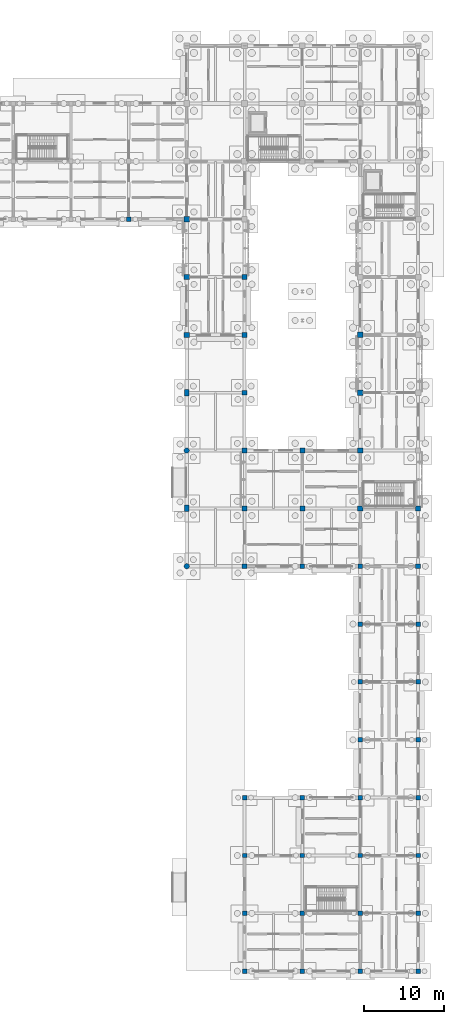
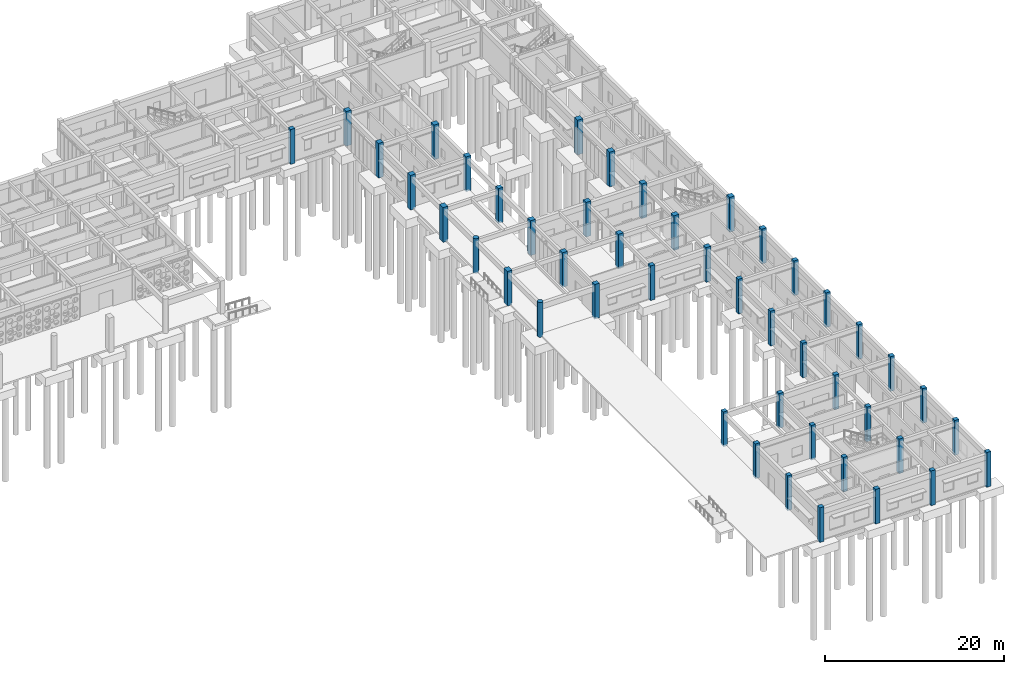
# One storey, part 10 of 111: 46 columns.
"""IFC4 building model written with IfcOpenShell, lengths in metres."""

import ifcopenshell
import ifcopenshell.guid

model = None  # the IFC model being written
_history = None  # IfcOwnerHistory: only IFC2X3 demands one
_inside = {}  # id of a spatial element -> (the spatial element, [elements in it])
_under = {}  # id of a project, library or spatial element -> (it, [spatial elements below it])
_declared = {}  # id of a project -> (the project, [libraries it declares])
_typed = {}  # id of a type object -> (the type object, [elements of that type])
_made_of = {}  # id of a material, layer set ... -> (it, [elements and type objects made of it])


def new_model(schema):
    """Start an empty IFC model of exactly this schema.

    Asked for "IFC4X3", IfcOpenShell would pick the latest addendum, in which some entities
    have other attributes; the version numbers below select the first issue.
    IFC2X3 requires an IfcOwnerHistory on every rooted entity: one is made here for all.
    """
    global model, _history
    if schema == "IFC4X3":
        model = ifcopenshell.file(schema_version=(4, 3, 0, 0))
    else:
        model = ifcopenshell.file(schema=schema)
    _inside.clear()
    _under.clear()
    _declared.clear()
    _typed.clear()
    _made_of.clear()
    _history = None
    if model.schema == "IFC2X3":
        org = make("IfcOrganization", Name="unknown")
        user = make(
            "IfcPersonAndOrganization",
            ThePerson=make("IfcPerson", FamilyName="unknown"),
            TheOrganization=org,
        )
        app = make(
            "IfcApplication",
            ApplicationDeveloper=org,
            Version="unknown",
            ApplicationFullName="unknown",
            ApplicationIdentifier="unknown",
        )
        _history = make(
            "IfcOwnerHistory",
            OwningUser=user,
            OwningApplication=app,
            ChangeAction="ADDED",
            CreationDate=0,
        )
    return model


def make(cls, **values):
    """One entity of the class cls with the attributes given. An attribute that is None is left unset."""
    return model.create_entity(
        cls, **{name: value for name, value in values.items() if value is not None}
    )


def rooted(cls, **values):
    """An entity with a GlobalId (a new one), such as an element, a storey or a relation."""
    return make(cls, GlobalId=ifcopenshell.guid.new(), OwnerHistory=_history, **values)


def si_unit(unit_type, name, prefix=None):
    """IfcSIUnit, for example si_unit("LENGTHUNIT", "METRE", prefix="MILLI")."""
    return make("IfcSIUnit", UnitType=unit_type, Prefix=prefix, Name=name)


def assignment(units):
    """IfcUnitAssignment: the units of a project."""
    return None if units is None else make("IfcUnitAssignment", Units=units)


def point(xyz):
    """IfcCartesianPoint."""
    return None if xyz is None else make("IfcCartesianPoint", Coordinates=xyz)


def direction(xyz):
    """IfcDirection."""
    return None if xyz is None else make("IfcDirection", DirectionRatios=xyz)


def frame(location, z_axis=None, x_axis=None):
    """IfcAxis2Placement3D, a coordinate frame: its origin and axes. An axis left out is left unset."""
    return make(
        "IfcAxis2Placement3D",
        Location=point(location),
        Axis=direction(z_axis),
        RefDirection=direction(x_axis),
    )


def frame_2d(location, x_axis=None):
    """IfcAxis2Placement2D, a coordinate frame in the plane: its origin and x axis."""
    return make(
        "IfcAxis2Placement2D", Location=point(location), RefDirection=direction(x_axis)
    )


def origin():
    """The frame at (0, 0, 0) with its axes left unset."""
    return frame((0.0, 0.0, 0.0))


def origin_2d():
    """The frame at (0, 0) in the plane with its x axis left unset."""
    return frame_2d((0.0, 0.0))


def place(relative_to, where):
    """IfcLocalPlacement: puts the frame where relative to a parent placement (None: the world)."""
    return make(
        "IfcLocalPlacement", PlacementRelTo=relative_to, RelativePlacement=where
    )


def context(
    kind, dimensions, precision=None, world=None, true_north=None, identifier=None
):
    """IfcGeometricRepresentationContext, for example the 3D "Model" context."""
    return make(
        "IfcGeometricRepresentationContext",
        ContextIdentifier=identifier,
        ContextType=kind,
        CoordinateSpaceDimension=dimensions,
        Precision=precision,
        WorldCoordinateSystem=world,
        TrueNorth=true_north,
    )


def subcontext(parent, identifier, kind, view, scale=None):
    """IfcGeometricRepresentationSubContext, for example "Body" below "Model"."""
    return make(
        "IfcGeometricRepresentationSubContext",
        ContextIdentifier=identifier,
        ContextType=kind,
        ParentContext=parent,
        TargetScale=scale,
        TargetView=view,
    )


def project(units=None, contexts=None):
    """IfcProject with its units and contexts."""
    return rooted(
        "IfcProject",
        Name="project",
        RepresentationContexts=contexts,
        UnitsInContext=assignment(units),
    )


def spatial(cls, under=None, at=None, **own):
    """A site, building, storey or space (cls), placed at a placement, below another one or the project."""
    s = rooted(cls, ObjectPlacement=at, **own)
    if under is not None:
        _under.setdefault(under.id(), (under, []))[1].append(s)
    return s


def profile(cls, at=None, kind="AREA", **sizes):
    """A parametric profile (cls). Its sizes go by their IFC names, for example OverallWidth=200.0."""
    return make(cls, ProfileType=kind, Position=at, **sizes)


def rectangle(**sizes):
    """IfcRectangleProfileDef."""
    return profile("IfcRectangleProfileDef", **sizes)


def circle(**sizes):
    """IfcCircleProfileDef."""
    return profile("IfcCircleProfileDef", **sizes)


def extrude(swept, where, along, depth):
    """IfcExtrudedAreaSolid: the profile swept, set in the frame where, extruded along a direction by depth."""
    return make(
        "IfcExtrudedAreaSolid",
        SweptArea=swept,
        Position=where,
        ExtrudedDirection=direction(along),
        Depth=depth,
    )


def shape(context_of_items, identifier, shape_type, items):
    """IfcShapeRepresentation: the items that make up one representation, for example the "Body"."""
    return make(
        "IfcShapeRepresentation",
        ContextOfItems=context_of_items,
        RepresentationIdentifier=identifier,
        RepresentationType=shape_type,
        Items=items,
    )


def material(Name=None, Category=None):
    """IfcMaterial."""
    return make("IfcMaterial", Name=Name, Category=Category)


def material_profile(
    of_material, cross_section, Name=None, Category=None, Priority=None
):
    """IfcMaterialProfile: a cross section and its material."""
    return make(
        "IfcMaterialProfile",
        Name=Name,
        Material=of_material,
        Profile=cross_section,
        Priority=Priority,
        Category=Category,
    )


def profile_set(profiles, Name=None, composite=None):
    """IfcMaterialProfileSet."""
    return make(
        "IfcMaterialProfileSet",
        Name=Name,
        MaterialProfiles=profiles,
        CompositeProfile=composite,
    )


def made_of(thing, what):
    """Note that an element or type object is made of a material, layer set ...; save() writes the relation."""
    if what is not None:
        _made_of.setdefault(what.id(), (what, []))[1].append(thing)
    return thing


def type_object(cls, material=None, **own):
    """A type object (cls), such as IfcWallType, which elements share."""
    return made_of(rooted(cls, **own), material)


def element(
    cls,
    number,
    at=None,
    inside=None,
    cuts=None,
    type_object=None,
    material=None,
    context=None,
    identifier="Body",
    shape_type=None,
    held_by="IfcProductDefinitionShape",
    body=None,
    shapes=None,
    **own,
):
    """One element of the class cls, such as IfcWall. Its Tag is "e" and its number.

    at: its placement. inside: the storey or other place that contains it. cuts: it is an
    opening in that element (IfcRelVoidsElement). A single representation is given by context,
    identifier, shape_type and body (its items); several are given by shapes. held_by: the class
    of the entity that holds the representations. save() writes the other relations.
    """
    e = rooted(cls, Tag="e%d" % number, ObjectPlacement=at, **own)
    if body is not None:
        shapes = [shape(context, identifier, shape_type, body)]
    if shapes is not None:
        e.Representation = make(held_by, Representations=shapes)
    if inside is not None:
        _inside.setdefault(inside.id(), (inside, []))[1].append(e)
    if cuts is not None:
        rooted(
            "IfcRelVoidsElement", RelatingBuildingElement=cuts, RelatedOpeningElement=e
        )
    if type_object is not None:
        _typed.setdefault(type_object.id(), (type_object, []))[1].append(e)
    return made_of(e, material)


def aggregate(whole, parts):
    """IfcRelAggregates: a whole, such as a stair, and the parts it consists of."""
    return rooted("IfcRelAggregates", RelatingObject=whole, RelatedObjects=parts)


def save(model, path):
    """Write the relations noted so far, then the file.

    IfcRelAggregates (storeys below a building ...), IfcRelContainedInSpatialStructure (elements
    in a storey), IfcRelDefinesByType, IfcRelAssociatesMaterial and IfcRelDeclares: one each for
    every whole, place, type object, material and project.
    """
    for whole, parts in _under.values():
        aggregate(whole, parts)
    for where, things in _inside.values():
        rooted(
            "IfcRelContainedInSpatialStructure",
            RelatedElements=things,
            RelatingStructure=where,
        )
    for kind, things in _typed.values():
        rooted("IfcRelDefinesByType", RelatedObjects=things, RelatingType=kind)
    for what, things in _made_of.values():
        rooted("IfcRelAssociatesMaterial", RelatedObjects=things, RelatingMaterial=what)
    for by, libraries in _declared.values():
        rooted("IfcRelDeclares", RelatingContext=by, RelatedDefinitions=libraries)
    model.write(path)


model = new_model("IFC4")

# Units and contexts
model_context = context("Model", 3, precision=1e-05, world=origin(), true_north=direction((0.0, 1.0)))
body_context = subcontext(model_context, "Body", "Model", "MODEL_VIEW")
ifc_project = project(units=[si_unit("LENGTHUNIT", "METRE"), si_unit("AREAUNIT", "SQUARE_METRE"), si_unit("VOLUMEUNIT", "CUBIC_METRE"), si_unit("PLANEANGLEUNIT", "RADIAN"), si_unit("MASSUNIT", "GRAM", prefix="KILO")], contexts=[model_context])

# Site, building, storey
site_placement = place(None, origin())
site = spatial("IfcSite", under=ifc_project, at=site_placement, CompositionType="ELEMENT")
building_placement = place(site_placement, origin())
building = spatial("IfcBuilding", under=site, at=building_placement, Name="Aldebral Square Health Centre", CompositionType="ELEMENT")
storey_placement = place(building_placement, origin())
storey = spatial("IfcBuildingStorey", under=building, at=storey_placement, Name="L00", CompositionType="ELEMENT", Elevation=0.0)

# Columns
ifc_material = material(Name="Concrete C40/50", Category="concrete")
ifc_material_profile_1 = material_profile(ifc_material, rectangle(XDim=0.699951171875, YDim=0.699951171875, at=origin_2d()), Name="RC 700x700")
ifc_profile_set_1 = profile_set([ifc_material_profile_1], Name="Concrete C40/50")
column_type_1 = type_object("IfcColumnType", Name="COL-C1", PredefinedType="COLUMN", material=ifc_profile_set_1)
for number, where, z_axis, x_axis, name in (
    (1, (158.39990234375, 72.0, -0.25), (0.0, 0.0, 1.0), (1.0, 0.0, 0.0), "L00 column 23/11"),
    (2, (158.39990234375, 79.199951171875, -0.25), (0.0, 0.0, 1.0), (1.0, 0.0, 0.0), "L00 column 23/12"),
):
    element("IfcColumn", number, at=place(storey_placement, frame(where, z_axis=z_axis, x_axis=x_axis)), inside=storey, type_object=column_type_1, Name=name, PredefinedType="COLUMN", context=body_context, shape_type="SweptSolid", body=[
        extrude(rectangle(XDim=0.699951171875, YDim=0.699951171875, at=origin_2d()), origin(), (0.0, 0.0, 1.0), 4.75),
    ])
ifc_material_profile_2 = material_profile(ifc_material, rectangle(XDim=0.64990234375, YDim=0.64990234375, at=origin_2d()), Name="RC 650x650")
ifc_profile_set_2 = profile_set([ifc_material_profile_2], Name="Concrete C40/50")
column_type_2 = type_object("IfcColumnType", Name="COL-C2", PredefinedType="COLUMN", material=ifc_profile_set_2)
for number, where, z_axis, x_axis, name in (
    (3, (136.800048828125, 79.199951171875, -0.25), (0.0, 0.0, 1.0), (1.0, 0.0, 0.0), "L00 column 20/12"),
    (4, (136.800048828125, 86.39990234375, -0.25), (0.0, 0.0, 1.0), (1.0, 0.0, 0.0), "L00 column 20/13"),
    (5, (136.800048828125, 93.60009765625, -0.25), (0.0, 0.0, 1.0), (1.0, 0.0, 0.0), "L00 column 20/14"),
    (6, (144.0, 57.60009765625, -0.25), (0.0, 0.0, 1.0), (1.0, 0.0, 0.0), "L00 column 21/9"),
    (7, (144.0, 64.800048828125, -0.25), (0.0, 0.0, 1.0), (1.0, 0.0, 0.0), "L00 column 21/10"),
    (8, (144.0, 79.199951171875, -0.25), (0.0, 0.0, 1.0), (1.0, 0.0, 0.0), "L00 column 21/12"),
    (9, (144.0, 86.39990234375, -0.25), (0.0, 0.0, 1.0), (1.0, 0.0, 0.0), "L00 column 21/13"),
    (10, (151.199951171875, 57.60009765625, -0.25), (0.0, 0.0, 1.0), (1.0, 0.0, 0.0), "L00 column 22/9"),
    (11, (151.199951171875, 64.800048828125, -0.25), (0.0, 0.0, 1.0), (1.0, 0.0, 0.0), "L00 column 22/10"),
    (12, (158.39990234375, 57.60009765625, -0.25), (0.0, 0.0, 1.0), (1.0, 0.0, 0.0), "L00 column 23/9"),
    (13, (158.39990234375, 64.800048828125, -0.25), (0.0, 0.0, 1.0), (1.0, 0.0, 0.0), "L00 column 23/10"),
    (14, (165.60009765625, 57.60009765625, -0.25), (0.0, 0.0, 1.0), (1.0, 0.0, 0.0), "L00 column 24/9"),
):
    element("IfcColumn", number, at=place(storey_placement, frame(where, z_axis=z_axis, x_axis=x_axis)), inside=storey, type_object=column_type_2, Name=name, PredefinedType="COLUMN", context=body_context, shape_type="SweptSolid", body=[
        extrude(rectangle(XDim=0.64990234375, YDim=0.64990234375, at=origin_2d()), origin(), (0.0, 0.0, 1.0), 4.75),
    ])
ifc_material_profile_3 = material_profile(ifc_material, rectangle(XDim=0.60009765625, YDim=0.60009765625, at=origin_2d()), Name="RC 600x600")
ifc_profile_set_3 = profile_set([ifc_material_profile_3], Name="Concrete C40/50")
column_type_3 = type_object("IfcColumnType", Name="COL-C3", PredefinedType="COLUMN", material=ifc_profile_set_3)
for number, where, z_axis, x_axis, name in (
    (15, (144.0, 50.39990234375, -0.25), (0.0, 0.0, 1.0), (1.0, 0.0, 0.0), "L00 column 21/8"),
    (16, (144.0, 72.0, -0.25), (0.0, 0.0, 1.0), (1.0, 0.0, 0.0), "L00 column 21/11"),
    (17, (158.39990234375, 50.39990234375, -0.25), (0.0, 0.0, 1.0), (1.0, 0.0, 0.0), "L00 column 23/8"),
    (18, (165.60009765625, 50.39990234375, -0.25), (0.0, 0.0, 1.0), (1.0, 0.0, 0.0), "L00 column 24/8"),
):
    element("IfcColumn", number, at=place(storey_placement, frame(where, z_axis=z_axis, x_axis=x_axis)), inside=storey, type_object=column_type_3, Name=name, PredefinedType="COLUMN", context=body_context, shape_type="SweptSolid", body=[
        extrude(rectangle(XDim=0.60009765625, YDim=0.60009765625, at=origin_2d()), origin(), (0.0, 0.0, 1.0), 4.75),
    ])
ifc_material_profile_4 = material_profile(ifc_material, rectangle(XDim=0.550048828125, YDim=0.550048828125, at=origin_2d()), Name="RC 550x550")
ifc_profile_set_4 = profile_set([ifc_material_profile_4], Name="Concrete C40/50")
column_type_4 = type_object("IfcColumnType", Name="COL-C4", PredefinedType="COLUMN", material=ifc_profile_set_4)
for number, where, z_axis, x_axis, name in (
    (19, (129.60009765625, 93.60009765625, -0.25), (0.0, 0.0, 1.0), (1.0, 0.0, 0.0), "L00 column 19/14"),
    (20, (144.0, 0.0, -0.25), (0.0, 0.0, 1.0), (1.0, 0.0, 0.0), "L00 column 21/1"),
    (21, (144.0, 7.199951171875, -0.25), (0.0, 0.0, 1.0), (1.0, 0.0, 0.0), "L00 column 21/2"),
    (22, (144.0, 14.39990234375, -0.25), (0.0, 0.0, 1.0), (1.0, 0.0, 0.0), "L00 column 21/3"),
    (23, (144.0, 21.60009765625, -0.25), (0.0, 0.0, 1.0), (1.0, 0.0, 0.0), "L00 column 21/4"),
    (24, (151.199951171875, 0.0, -0.25), (0.0, 0.0, 1.0), (1.0, 0.0, 0.0), "L00 column 22/1"),
    (25, (151.199951171875, 7.199951171875, -0.25), (0.0, 0.0, 1.0), (1.0, 0.0, 0.0), "L00 column 22/2"),
    (26, (151.199951171875, 14.39990234375, -0.25), (0.0, 0.0, 1.0), (1.0, 0.0, 0.0), "L00 column 22/3"),
    (27, (151.199951171875, 21.60009765625, -0.25), (0.0, 0.0, 1.0), (1.0, 0.0, 0.0), "L00 column 22/4"),
    (28, (151.199951171875, 50.39990234375, -0.25), (0.0, 0.0, 1.0), (1.0, 0.0, 0.0), "L00 column 22/8"),
    (29, (158.39990234375, 0.0, -0.25), (0.0, 0.0, 1.0), (1.0, 0.0, 0.0), "L00 column 23/1"),
    (30, (158.39990234375, 7.199951171875, -0.25), (0.0, 0.0, 1.0), (1.0, 0.0, 0.0), "L00 column 23/2"),
    (31, (158.39990234375, 14.39990234375, -0.25), (0.0, 0.0, 1.0), (1.0, 0.0, 0.0), "L00 column 23/3"),
    (32, (158.39990234375, 21.60009765625, -0.25), (0.0, 0.0, 1.0), (1.0, 0.0, 0.0), "L00 column 23/4"),
    (33, (158.39990234375, 28.800048828125, -0.25), (0.0, 0.0, 1.0), (1.0, 0.0, 0.0), "L00 column 23/5"),
    (34, (158.39990234375, 36.0, -0.25), (0.0, 0.0, 1.0), (1.0, 0.0, 0.0), "L00 column 23/6"),
    (35, (158.39990234375, 43.199951171875, -0.25), (0.0, 0.0, 1.0), (1.0, 0.0, 0.0), "L00 column 23/7"),
    (36, (165.60009765625, 0.0, -0.25), (0.0, 0.0, 1.0), (1.0, 0.0, 0.0), "L00 column 24/1"),
    (37, (165.60009765625, 7.199951171875, -0.25), (0.0, 0.0, 1.0), (1.0, 0.0, 0.0), "L00 column 24/2"),
    (38, (165.60009765625, 14.39990234375, -0.25), (0.0, 0.0, 1.0), (1.0, 0.0, 0.0), "L00 column 24/3"),
    (39, (165.60009765625, 21.60009765625, -0.25), (0.0, 0.0, 1.0), (1.0, 0.0, 0.0), "L00 column 24/4"),
    (40, (165.60009765625, 28.800048828125, -0.25), (0.0, 0.0, 1.0), (1.0, 0.0, 0.0), "L00 column 24/5"),
    (41, (165.60009765625, 36.0, -0.25), (0.0, 0.0, 1.0), (1.0, 0.0, 0.0), "L00 column 24/6"),
    (42, (165.60009765625, 43.199951171875, -0.25), (0.0, 0.0, 1.0), (1.0, 0.0, 0.0), "L00 column 24/7"),
):
    element("IfcColumn", number, at=place(storey_placement, frame(where, z_axis=z_axis, x_axis=x_axis)), inside=storey, type_object=column_type_4, Name=name, PredefinedType="COLUMN", context=body_context, shape_type="SweptSolid", body=[
        extrude(rectangle(XDim=0.550048828125, YDim=0.550048828125, at=origin_2d()), origin(), (0.0, 0.0, 1.0), 4.75),
    ])
ifc_material_profile_5 = material_profile(ifc_material, rectangle(XDim=0.60009765625, YDim=0.800048828125, at=origin_2d()), Name="RC 600x800")
ifc_profile_set_5 = profile_set([ifc_material_profile_5], Name="Concrete C40/50")
column_type_5 = type_object("IfcColumnType", Name="COL-C7", PredefinedType="PILASTER", material=ifc_profile_set_5)
for number, where, z_axis, x_axis, name in (
    (43, (136.800048828125, 57.60009765625, -0.25), (0.0, 0.0, 1.0), (1.0, 0.0, 0.0), "L00 column 20/9"),
    (44, (136.800048828125, 72.0, -0.25), (0.0, 0.0, 1.0), (1.0, 0.0, 0.0), "L00 column 20/11"),
):
    element("IfcColumn", number, at=place(storey_placement, frame(where, z_axis=z_axis, x_axis=x_axis)), inside=storey, type_object=column_type_5, Name=name, PredefinedType="PILASTER", context=body_context, shape_type="SweptSolid", body=[
        extrude(rectangle(XDim=0.60009765625, YDim=0.800048828125, at=origin_2d()), origin(), (0.0, 0.0, 1.0), 4.75),
    ])
ifc_material_profile_6 = material_profile(ifc_material, circle(Radius=0.324951171875, at=origin_2d()), Name="RC D650")
ifc_profile_set_6 = profile_set([ifc_material_profile_6], Name="Concrete C40/50")
column_type_6 = type_object("IfcColumnType", Name="COL-C8", PredefinedType="COLUMN", material=ifc_profile_set_6)
for number, where, z_axis, x_axis, name in (
    (45, (136.800048828125, 50.39990234375, -0.25), (0.0, 0.0, 1.0), (1.0, 0.0, 0.0), "L00 column 20/8"),
    (46, (136.800048828125, 64.800048828125, -0.25), (0.0, 0.0, 1.0), (1.0, 0.0, 0.0), "L00 column 20/10"),
):
    element("IfcColumn", number, at=place(storey_placement, frame(where, z_axis=z_axis, x_axis=x_axis)), inside=storey, type_object=column_type_6, Name=name, PredefinedType="COLUMN", context=body_context, shape_type="SweptSolid", body=[
        extrude(circle(Radius=0.324951171875, at=origin_2d()), origin(), (0.0, 0.0, 1.0), 4.75),
    ])

save(model, "model.ifc")
